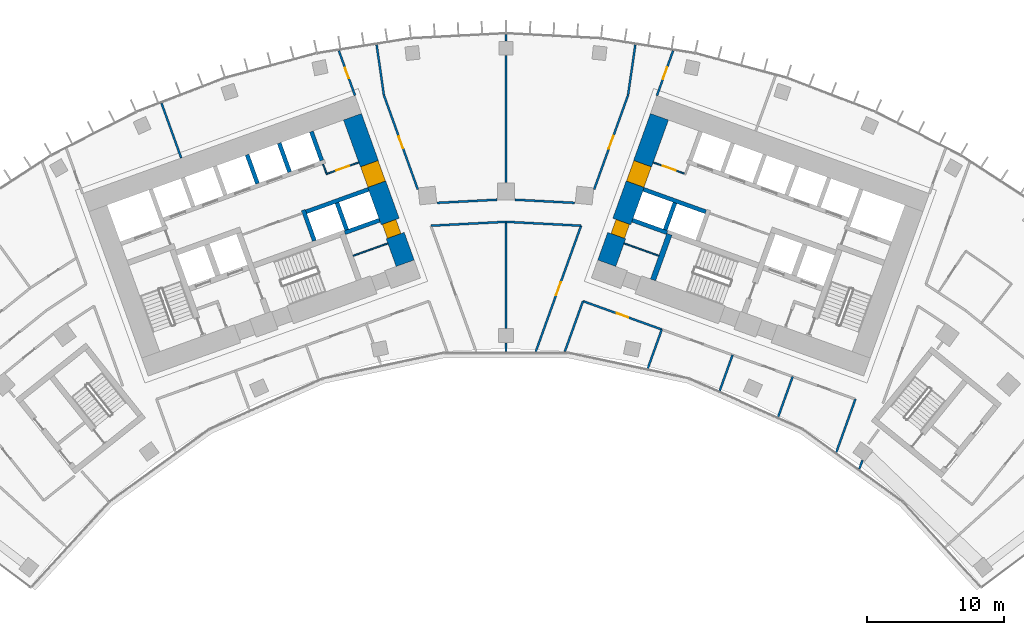
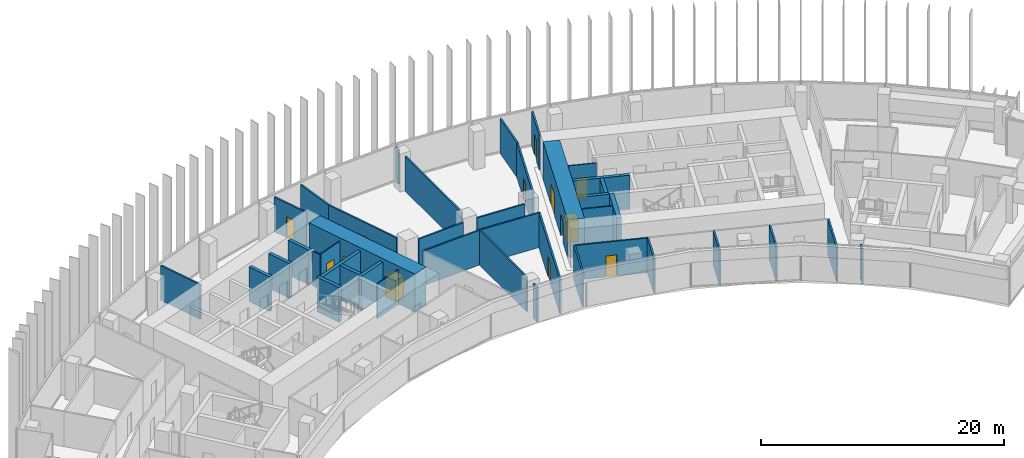
# One storey, part 17 of 22: 41 walls, 12 doors, 12 openings.
"""IFC4 building model written with IfcOpenShell, lengths in metres."""

from ifc_helpers import new_model, si_unit, direction, frame, frame_2d, origin, place, context, subcontext, project, spatial, rectangle, extrude, material, layer, layer_set, type_object, element, fill, save


model = new_model("IFC4")

# Units and contexts
model_context = context("Model", 3, precision=1e-05, world=origin(), true_north=direction((0.0, 1.0)))
body_context = subcontext(model_context, "Body", "Model", "MODEL_VIEW")
ifc_project = project(units=[si_unit("LENGTHUNIT", "METRE"), si_unit("AREAUNIT", "SQUARE_METRE"), si_unit("VOLUMEUNIT", "CUBIC_METRE"), si_unit("PLANEANGLEUNIT", "RADIAN"), si_unit("MASSUNIT", "GRAM", prefix="KILO")], contexts=[model_context])

# Site, building, storey
site_placement = place(None, origin())
site = spatial("IfcSite", under=ifc_project, at=site_placement, CompositionType="ELEMENT")
building_placement = place(site_placement, origin())
building = spatial("IfcBuilding", under=site, at=building_placement, Name="Stone Belt Terrace Tower", CompositionType="ELEMENT")
storey_placement = place(building_placement, frame((0.0, 0.0, 155.39990234375)))
storey = spatial("IfcBuildingStorey", under=building, at=storey_placement, Name="L37", CompositionType="ELEMENT", Elevation=155.39990234375)

# Walls
ifc_material_1 = material(Name="Plasterboard partition")
ifc_layer_1 = layer(ifc_material_1, 0.10009765625)
ifc_layer_set_1 = layer_set([ifc_layer_1], Name="Core partition 100")
wall_type_1 = type_object("IfcWallType", Name="Core partition 100", PredefinedType="PARTITIONING", material=ifc_layer_set_1)
wall_1_placement = place(storey_placement, frame((-11.187744140625, 50.2822265625, 0.0), z_axis=(0.0, 0.0, 1.0), x_axis=(0.940949642365, 0.338546555931, 0.0)))
element("IfcWall", 1, at=wall_1_placement, inside=storey, type_object=wall_type_1, Name="Core A wall", PredefinedType="PARTITIONING", context=body_context, shape_type="SweptSolid", body=[
    extrude(rectangle(XDim=2.699951171875, YDim=0.10009765625, at=frame_2d((1.35009765625, 0.0))), origin(), (0.0, 0.0, 1.0), 3.47998046875),
])
wall_2_placement = place(storey_placement, frame((-13.115966796875, 56.230712890625, 0.0), z_axis=(0.0, 0.0, 1.0), x_axis=(-0.338481684961, 0.940972979923, 0.0)))
element("IfcWall", 2, at=wall_2_placement, inside=storey, type_object=wall_type_1, Name="Core A wall", PredefinedType="PARTITIONING", context=body_context, shape_type="SweptSolid", body=[
    extrude(rectangle(XDim=0.7998046875, YDim=0.10009765625, at=frame_2d((0.39990234375, 0.0))), origin(), (0.0, 0.0, 1.0), 3.47998046875),
])

# Wall, opening, door
wall_3_placement = place(storey_placement, frame((-13.085693359375, 56.294677734375, 0.0), z_axis=(0.0, 0.0, 1.0), x_axis=(0.940922976849, 0.338620660383, 0.0)))
wall_3 = element("IfcWall", 3, at=wall_3_placement, inside=storey, type_object=wall_type_1, Name="Core A wall", PredefinedType="PARTITIONING", context=body_context, shape_type="SweptSolid", body=[
    extrude(rectangle(XDim=2.449951171875, YDim=0.10009765625, at=frame_2d((1.22509765625, 0.0))), origin(), (0.0, 0.0, 1.0), 3.47998046875),
])
opening_1_placement = place(wall_3_placement, frame((0.699951171875, 0.0, 0.0)))
opening_1 = element("IfcOpeningElement", 4, at=opening_1_placement, cuts=wall_3, Name="Opening L37-C01", PredefinedType="OPENING", context=body_context, shape_type="SweptSolid", body=[
    extrude(rectangle(XDim=1.0, YDim=2.10009765625, at=frame_2d((0.5, 1.050048828125))), frame((0.0, 0.06005859375, 0.0), z_axis=(0.0, -1.0, 0.0), x_axis=(1.0, 0.0, 0.0)), (0.0, 0.0, 1.0), 0.1201171875),
])
ifc_material_2 = material(Name="Timber door leaf", Category="wood")
door_type_1 = type_object("IfcDoorType", Name="Core room door 1000", OperationType="SINGLE_SWING_LEFT", PredefinedType="DOOR", material=ifc_material_2)
door_1_placement = place(opening_1_placement, origin())
door_1 = element("IfcDoor", 5, at=door_1_placement, inside=storey, type_object=door_type_1, Name="Door to Services store core A", OperationType="SINGLE_SWING_LEFT", OverallHeight=2.10009765625, OverallWidth=1.0, PredefinedType="DOOR", context=body_context, shape_type="SweptSolid", body=[
    extrude(rectangle(XDim=1.0, YDim=2.10009765625, at=frame_2d((0.5, 1.050048828125))), frame((0.0, 0.02490234375, 0.0), z_axis=(0.0, -1.0, 0.0), x_axis=(1.0, 0.0, 0.0)), (0.0, 0.0, 1.0), 0.050048828125),
])
fill(opening_1, door_1)

# Wall
wall_4_placement = place(storey_placement, frame((11.187744140625, 50.2822265625, 0.0), z_axis=(0.0, 0.0, 1.0), x_axis=(-0.940949642365, 0.338546555931, 0.0)))
element("IfcWall", 6, at=wall_4_placement, inside=storey, type_object=wall_type_1, Name="Core B wall", PredefinedType="PARTITIONING", context=body_context, shape_type="SweptSolid", body=[
    extrude(rectangle(XDim=2.699951171875, YDim=0.10009765625, at=frame_2d((1.35009765625, 0.0))), origin(), (0.0, 0.0, 1.0), 3.47998046875),
])

# Wall, opening, door
wall_5_placement = place(storey_placement, frame((13.085693359375, 56.294677734375, 0.0), z_axis=(0.0, 0.0, 1.0), x_axis=(-0.940922976849, 0.338620660383, 0.0)))
wall_5 = element("IfcWall", 7, at=wall_5_placement, inside=storey, type_object=wall_type_1, Name="Core B wall", PredefinedType="PARTITIONING", context=body_context, shape_type="SweptSolid", body=[
    extrude(rectangle(XDim=2.449951171875, YDim=0.10009765625, at=frame_2d((1.22509765625, 0.0))), origin(), (0.0, 0.0, 1.0), 3.47998046875),
])
opening_2_placement = place(wall_5_placement, frame((0.699951171875, 0.0, 0.0)))
opening_2 = element("IfcOpeningElement", 8, at=opening_2_placement, cuts=wall_5, Name="Opening L37-C12", PredefinedType="OPENING", context=body_context, shape_type="SweptSolid", body=[
    extrude(rectangle(XDim=1.0, YDim=2.10009765625, at=frame_2d((0.5, 1.050048828125))), frame((0.0, 0.06005859375, 0.0), z_axis=(0.0, -1.0, 0.0), x_axis=(1.0, 0.0, 0.0)), (0.0, 0.0, 1.0), 0.1201171875),
])
door_2_placement = place(opening_2_placement, origin())
door_2 = element("IfcDoor", 9, at=door_2_placement, inside=storey, type_object=door_type_1, Name="Door to Services store core B", OperationType="SINGLE_SWING_RIGHT", OverallHeight=2.10009765625, OverallWidth=1.0, PredefinedType="DOOR", context=body_context, shape_type="SweptSolid", body=[
    extrude(rectangle(XDim=1.0, YDim=2.10009765625, at=frame_2d((0.5, 1.050048828125))), frame((0.0, 0.02490234375, 0.0), z_axis=(0.0, -1.0, 0.0), x_axis=(1.0, 0.0, 0.0)), (0.0, 0.0, 1.0), 0.050048828125),
])
fill(opening_2, door_2)

# Wall, openings, doors
ifc_material_3 = material(Name="Concrete B80", Category="concrete")
ifc_layer_2 = layer(ifc_material_3, 1.39990234375)
ifc_layer_set_2 = layer_set([ifc_layer_2], Name="Core wall 1400 B80")
wall_type_2 = type_object("IfcWallType", Name="Core wall 1400 B80", PredefinedType="SHEAR", material=ifc_layer_set_2)
wall_6_placement = place(storey_placement, frame((-7.379150390625, 49.73974609375, 0.0), z_axis=(0.0, 0.0, 1.0), x_axis=(-0.338625431531, 0.940921259788, 0.0)))
wall_6 = element("IfcWall", 10, at=wall_6_placement, inside=storey, type_object=wall_type_2, Name="Core A wall end_b L37", PredefinedType="SHEAR", context=body_context, shape_type="SweptSolid", body=[
    extrude(rectangle(XDim=11.400146484375, YDim=1.39990234375, at=frame_2d((5.7001953125, 0.0))), origin(), (0.0, 0.0, 1.0), 3.800048828125),
])
opening_3_placement = place(wall_6_placement, frame((6.14990234375, 0.0, 0.0)))
opening_3 = element("IfcOpeningElement", 11, at=opening_3_placement, cuts=wall_6, Name="Opening L37-C04", PredefinedType="OPENING", context=body_context, shape_type="SweptSolid", body=[
    extrude(rectangle(XDim=1.60009765625, YDim=2.10009765625, at=frame_2d((0.800048828125, 1.050048828125))), frame((0.0, 0.7099609375, 0.0), z_axis=(0.0, -1.0, 0.0), x_axis=(1.0, 0.0, 0.0)), (0.0, 0.0, 1.0), 1.419921875),
])
opening_4_placement = place(wall_6_placement, frame((2.14990234375, 0.0, 0.0)))
opening_4 = element("IfcOpeningElement", 12, at=opening_4_placement, cuts=wall_6, Name="Opening L37-C10", PredefinedType="OPENING", context=body_context, shape_type="SweptSolid", body=[
    extrude(rectangle(XDim=1.10009765625, YDim=2.10009765625, at=frame_2d((0.550048828125, 1.050048828125))), frame((0.0, 0.7099609375, 0.0), z_axis=(0.0, -1.0, 0.0), x_axis=(1.0, 0.0, 0.0)), (0.0, 0.0, 1.0), 1.419921875),
])
door_type_2 = type_object("IfcDoorType", Name="Core room door 1100", OperationType="SINGLE_SWING_LEFT", PredefinedType="DOOR", material=ifc_material_2)
door_3_placement = place(opening_4_placement, origin())
door_3 = element("IfcDoor", 13, at=door_3_placement, inside=storey, type_object=door_type_2, Name="Door to Accessible WC core A", OperationType="SINGLE_SWING_RIGHT", OverallHeight=2.10009765625, OverallWidth=1.10009765625, PredefinedType="DOOR", context=body_context, shape_type="SweptSolid", body=[
    extrude(rectangle(XDim=1.10009765625, YDim=2.10009765625, at=frame_2d((0.550048828125, 1.050048828125))), frame((0.0, 0.60498046875, 0.0), z_axis=(0.0, -1.0, 0.0), x_axis=(1.0, 0.0, 0.0)), (0.0, 0.0, 1.0), 1.050048828125),
])
fill(opening_4, door_3)
ifc_material_4 = material(Name="Glazed aluminium door leaf", Category="aluminium")
door_type_3 = type_object("IfcDoorType", Name="Lift lobby entrance door 1600", OperationType="DOUBLE_DOOR_SINGLE_SWING", PredefinedType="DOOR", material=ifc_material_4)
door_4_placement = place(opening_3_placement, origin())
door_4 = element("IfcDoor", 14, at=door_4_placement, inside=storey, type_object=door_type_3, Name="Lift lobby entrance door core A", OperationType="DOUBLE_DOOR_SINGLE_SWING", OverallHeight=2.10009765625, OverallWidth=1.60009765625, PredefinedType="DOOR", context=body_context, shape_type="SweptSolid", body=[
    extrude(rectangle(XDim=1.60009765625, YDim=2.10009765625, at=frame_2d((0.800048828125, 1.050048828125))), frame((0.0, 0.68017578125, 0.0), z_axis=(0.0, -1.0, 0.0), x_axis=(1.0, 0.0, 0.0)), (0.0, 0.0, 1.0), 1.360107421875),
])
fill(opening_3, door_4)

wall_7_placement = place(storey_placement, frame((7.379150390625, 49.73974609375, 0.0), z_axis=(0.0, 0.0, 1.0), x_axis=(0.338625431531, 0.940921259788, 0.0)))
wall_7 = element("IfcWall", 15, at=wall_7_placement, inside=storey, type_object=wall_type_2, Name="Core B wall end_a L37", PredefinedType="SHEAR", context=body_context, shape_type="SweptSolid", body=[
    extrude(rectangle(XDim=11.400146484375, YDim=1.39990234375, at=frame_2d((5.7001953125, 0.0))), origin(), (0.0, 0.0, 1.0), 3.800048828125),
])
opening_5_placement = place(wall_7_placement, frame((6.14990234375, 0.0, 0.0)))
opening_5 = element("IfcOpeningElement", 16, at=opening_5_placement, cuts=wall_7, Name="Opening L37-C15", PredefinedType="OPENING", context=body_context, shape_type="SweptSolid", body=[
    extrude(rectangle(XDim=1.60009765625, YDim=2.10009765625, at=frame_2d((0.800048828125, 1.050048828125))), frame((0.0, 0.7099609375, 0.0), z_axis=(0.0, -1.0, 0.0), x_axis=(1.0, 0.0, 0.0)), (0.0, 0.0, 1.0), 1.419921875),
])
opening_6_placement = place(wall_7_placement, frame((2.14990234375, 0.0, 0.0)))
opening_6 = element("IfcOpeningElement", 17, at=opening_6_placement, cuts=wall_7, Name="Opening L37-C21", PredefinedType="OPENING", context=body_context, shape_type="SweptSolid", body=[
    extrude(rectangle(XDim=1.10009765625, YDim=2.10009765625, at=frame_2d((0.550048828125, 1.050048828125))), frame((0.0, 0.7099609375, 0.0), z_axis=(0.0, -1.0, 0.0), x_axis=(1.0, 0.0, 0.0)), (0.0, 0.0, 1.0), 1.419921875),
])
door_5_placement = place(opening_6_placement, origin())
door_5 = element("IfcDoor", 18, at=door_5_placement, inside=storey, type_object=door_type_2, Name="Door to Accessible WC core B", OperationType="SINGLE_SWING_LEFT", OverallHeight=2.10009765625, OverallWidth=1.10009765625, PredefinedType="DOOR", context=body_context, shape_type="SweptSolid", body=[
    extrude(rectangle(XDim=1.10009765625, YDim=2.10009765625, at=frame_2d((0.550048828125, 1.050048828125))), frame((0.0, 0.44482421875, 0.0), z_axis=(0.0, -1.0, 0.0), x_axis=(1.0, 0.0, 0.0)), (0.0, 0.0, 1.0), 1.050048828125),
])
fill(opening_6, door_5)
door_6_placement = place(opening_5_placement, origin())
door_6 = element("IfcDoor", 19, at=door_6_placement, inside=storey, type_object=door_type_3, Name="Lift lobby entrance door core B", OperationType="DOUBLE_DOOR_SINGLE_SWING", OverallHeight=2.10009765625, OverallWidth=1.60009765625, PredefinedType="DOOR", context=body_context, shape_type="SweptSolid", body=[
    extrude(rectangle(XDim=1.60009765625, YDim=2.10009765625, at=frame_2d((0.800048828125, 1.050048828125))), frame((0.0, 0.68017578125, 0.0), z_axis=(0.0, -1.0, 0.0), x_axis=(1.0, 0.0, 0.0)), (0.0, 0.0, 1.0), 1.360107421875),
])
fill(opening_5, door_6)

# Walls
ifc_layer_3 = layer(ifc_material_3, 0.300048828125)
ifc_layer_set_3 = layer_set([ifc_layer_3], Name="Lift shaft wall 300")
wall_type_3 = type_object("IfcWallType", Name="Lift shaft wall 300", PredefinedType="SHEAR", material=ifc_layer_set_3)
wall_8_placement = place(storey_placement, frame((-18.193115234375, 55.572509765625, 0.0), z_axis=(0.0, 0.0, 1.0), x_axis=(-0.338535034312, 0.940953787677, 0.0)))
element("IfcWall", 20, at=wall_8_placement, inside=storey, type_object=wall_type_3, Name="Core A wall", PredefinedType="SHEAR", context=body_context, shape_type="SweptSolid", body=[
    extrude(rectangle(XDim=2.25, YDim=0.300048828125, at=frame_2d((1.125, 0.0))), origin(), (0.0, 0.0, 1.0), 3.47998046875),
])
wall_9_placement = place(storey_placement, frame((-14.029052734375, 51.38525390625, 0.0), z_axis=(0.0, 0.0, 1.0), x_axis=(-0.338661829791, 0.940908159728, 0.0)))
element("IfcWall", 21, at=wall_9_placement, inside=storey, type_object=wall_type_3, Name="Core A wall", PredefinedType="SHEAR", context=body_context, shape_type="SweptSolid", body=[
    extrude(rectangle(XDim=2.39990234375, YDim=0.300048828125, at=frame_2d((1.199951171875, 0.0))), origin(), (0.0, 0.0, 1.0), 3.47998046875),
])
wall_10_placement = place(storey_placement, frame((-14.6328125, 53.506103515625, 0.0), z_axis=(0.0, 0.0, 1.0), x_axis=(0.940931684323, 0.338596464007, 0.0)))
element("IfcWall", 22, at=wall_10_placement, inside=storey, type_object=wall_type_3, Name="Core A wall", PredefinedType="SHEAR", context=body_context, shape_type="SweptSolid", body=[
    extrude(rectangle(XDim=4.849609375, YDim=0.300048828125, at=frame_2d((2.4248046875, 0.0))), origin(), (0.0, 0.0, 1.0), 3.47998046875),
])
wall_11_placement = place(storey_placement, frame((-15.8408203125, 56.419189453125, 0.0), z_axis=(0.0, 0.0, 1.0), x_axis=(-0.338569601369, 0.940941350472, 0.0)))
element("IfcWall", 23, at=wall_11_placement, inside=storey, type_object=wall_type_3, Name="Core A wall", PredefinedType="SHEAR", context=body_context, shape_type="SweptSolid", body=[
    extrude(rectangle(XDim=2.249755859375, YDim=0.300048828125, at=frame_2d((1.125, 0.0))), origin(), (0.0, 0.0, 1.0), 3.47998046875),
])
wall_12_placement = place(storey_placement, frame((-11.797119140625, 51.975830078125, 0.0), z_axis=(0.0, 0.0, 1.0), x_axis=(0.940910465161, 0.33865542451, 0.0)))
element("IfcWall", 24, at=wall_12_placement, inside=storey, type_object=wall_type_3, Name="Core A wall", PredefinedType="SHEAR", context=body_context, shape_type="SweptSolid", body=[
    extrude(rectangle(XDim=2.69970703125, YDim=0.300048828125, at=frame_2d((1.349853515625, 0.0))), origin(), (0.0, 0.0, 1.0), 3.47998046875),
])
wall_13_placement = place(storey_placement, frame((-11.659912109375, 52.184814453125, 0.0), z_axis=(0.0, 0.0, 1.0), x_axis=(-0.338670064856, 0.940905195634, 0.0)))
element("IfcWall", 25, at=wall_13_placement, inside=storey, type_object=wall_type_3, Name="Core A wall", PredefinedType="SHEAR", context=body_context, shape_type="SweptSolid", body=[
    extrude(rectangle(XDim=2.099853515625, YDim=0.300048828125, at=frame_2d((1.0498046875, 0.0))), origin(), (0.0, 0.0, 1.0), 3.47998046875),
])
wall_14_placement = place(storey_placement, frame((-13.48828125, 57.265625, 0.0), z_axis=(0.0, 0.0, 1.0), x_axis=(-0.338631098537, 0.940919220286, 0.0)))
element("IfcWall", 26, at=wall_14_placement, inside=storey, type_object=wall_type_3, Name="Core A wall", PredefinedType="SHEAR", context=body_context, shape_type="SweptSolid", body=[
    extrude(rectangle(XDim=2.250244140625, YDim=0.300048828125, at=frame_2d((1.125, 0.0))), origin(), (0.0, 0.0, 1.0), 3.47998046875),
])
wall_15_placement = place(storey_placement, frame((14.6328125, 53.506103515625, 0.0), z_axis=(0.0, 0.0, 1.0), x_axis=(-0.940931684323, 0.338596464007, 0.0)))
element("IfcWall", 27, at=wall_15_placement, inside=storey, type_object=wall_type_3, Name="Core B wall", PredefinedType="SHEAR", context=body_context, shape_type="SweptSolid", body=[
    extrude(rectangle(XDim=4.849609375, YDim=0.300048828125, at=frame_2d((2.4248046875, 0.0))), origin(), (0.0, 0.0, 1.0), 3.47998046875),
])
wall_16_placement = place(storey_placement, frame((11.797119140625, 51.975830078125, 0.0), z_axis=(0.0, 0.0, 1.0), x_axis=(-0.940910465161, 0.33865542451, 0.0)))
element("IfcWall", 28, at=wall_16_placement, inside=storey, type_object=wall_type_3, Name="Core B wall", PredefinedType="SHEAR", context=body_context, shape_type="SweptSolid", body=[
    extrude(rectangle(XDim=2.69970703125, YDim=0.300048828125, at=frame_2d((1.349853515625, 0.0))), origin(), (0.0, 0.0, 1.0), 3.47998046875),
])
wall_17_placement = place(storey_placement, frame((11.659912109375, 52.184814453125, 0.0), z_axis=(0.0, 0.0, 1.0), x_axis=(0.338670064856, 0.940905195634, 0.0)))
element("IfcWall", 29, at=wall_17_placement, inside=storey, type_object=wall_type_3, Name="Core B wall", PredefinedType="SHEAR", context=body_context, shape_type="SweptSolid", body=[
    extrude(rectangle(XDim=2.099853515625, YDim=0.300048828125, at=frame_2d((1.0498046875, 0.0))), origin(), (0.0, 0.0, 1.0), 3.47998046875),
])

# Wall, opening, door
ifc_material_5 = material(Name="Gypsum board partition")
ifc_layer_4 = layer(ifc_material_5, 0.14990234375)
ifc_layer_set_4 = layer_set([ifc_layer_4], Name="PARTITION 150 EI 60")
wall_type_4 = type_object("IfcWallType", Name="PARTITION 150 EI 60", PredefinedType="PARTITIONING", material=ifc_layer_set_4)
wall_18_placement = place(storey_placement, frame((-11.054931640625, 62.02099609375, 0.0), z_axis=(0.0, 0.0, 1.0), x_axis=(-0.338942963923, 0.940806923448, 0.0)))
wall_18 = element("IfcWall", 30, at=wall_18_placement, inside=storey, type_object=wall_type_4, Name="L37/wall/i008", PredefinedType="PARTITIONING", context=body_context, shape_type="SweptSolid", body=[
    extrude(rectangle(XDim=3.481201171875, YDim=0.14990234375, at=frame_2d((1.74072265625, 0.0))), origin(), (0.0, 0.0, 1.0), 3.47998046875),
])
opening_7_placement = place(wall_18_placement, frame((1.340576171875, 0.0, 0.0)))
opening_7 = element("IfcOpeningElement", 31, at=opening_7_placement, cuts=wall_18, Name="Opening D-C1-06", PredefinedType="OPENING", context=body_context, shape_type="SweptSolid", body=[
    extrude(rectangle(XDim=0.800048828125, YDim=2.10009765625, at=frame_2d((0.39990234375, 1.050048828125))), frame((0.0, 0.0849609375, 0.0), z_axis=(0.0, -1.0, 0.0), x_axis=(1.0, 0.0, 0.0)), (0.0, 0.0, 1.0), 0.169921875),
])
door_type_4 = type_object("IfcDoorType", Name="STORE DOOR 800 X 2100", OperationType="NOTDEFINED", PredefinedType="DOOR", material=ifc_material_2)
door_7_placement = place(opening_7_placement, origin())
door_7 = element("IfcDoor", 32, at=door_7_placement, inside=storey, type_object=door_type_4, Name="L37/door/i06", OperationType="SINGLE_SWING_RIGHT", OverallHeight=2.10009765625, OverallWidth=0.800048828125, PredefinedType="DOOR", context=body_context, shape_type="SweptSolid", body=[
    extrude(rectangle(XDim=0.800048828125, YDim=2.10009765625, at=frame_2d((0.39990234375, 1.050048828125))), frame((0.0, 0.02490234375, 0.0), z_axis=(0.0, -1.0, 0.0), x_axis=(1.0, 0.0, 0.0)), (0.0, 0.0, 1.0), 0.050048828125),
])
fill(opening_7, door_7)

# Wall
wall_19_placement = place(storey_placement, frame((-9.47021484375, 65.736083984375, 0.0), z_axis=(0.0, 0.0, 1.0), x_axis=(0.14267653425, -0.989769370396, 0.0)))
element("IfcWall", 33, at=wall_19_placement, inside=storey, type_object=wall_type_4, Name="L37/wall/i010", PredefinedType="PARTITIONING", context=body_context, shape_type="SweptSolid", body=[
    extrude(rectangle(XDim=3.730224609375, YDim=0.14990234375, at=frame_2d((1.865234375, 0.0))), origin(), (0.0, 0.0, 1.0), 3.47998046875),
])

# Wall, opening, door
wall_20_placement = place(storey_placement, frame((-8.93798828125, 62.04296875, 0.0), z_axis=(0.0, 0.0, 1.0), x_axis=(0.338603971116, -0.940928982838, 0.0)))
wall_20 = element("IfcWall", 34, at=wall_20_placement, inside=storey, type_object=wall_type_4, Name="L37/wall/i011", PredefinedType="PARTITIONING", context=body_context, shape_type="SweptSolid", body=[
    extrude(rectangle(XDim=7.335693359375, YDim=0.14990234375, at=frame_2d((3.66796875, 0.0))), origin(), (0.0, 0.0, 1.0), 3.47998046875),
])
opening_8_placement = place(wall_20_placement, frame((3.218017578125, 0.0, 0.0)))
opening_8 = element("IfcOpeningElement", 35, at=opening_8_placement, cuts=wall_20, Name="Opening D-C1-28", PredefinedType="OPENING", context=body_context, shape_type="SweptSolid", body=[
    extrude(rectangle(XDim=0.89990234375, YDim=2.10009765625, at=frame_2d((0.449951171875, 1.050048828125))), frame((0.0, 0.0849609375, 0.0), z_axis=(0.0, -1.0, 0.0), x_axis=(1.0, 0.0, 0.0)), (0.0, 0.0, 1.0), 0.169921875),
])
door_type_5 = type_object("IfcDoorType", Name="OFFICE DOOR 900 X 2100", OperationType="NOTDEFINED", PredefinedType="DOOR", material=ifc_material_2)
door_8_placement = place(opening_8_placement, origin())
door_8 = element("IfcDoor", 36, at=door_8_placement, inside=storey, type_object=door_type_5, Name="L37/door/i28", OperationType="SINGLE_SWING_RIGHT", OverallHeight=2.10009765625, OverallWidth=0.89990234375, PredefinedType="DOOR", context=body_context, shape_type="SweptSolid", body=[
    extrude(rectangle(XDim=0.89990234375, YDim=2.10009765625, at=frame_2d((0.449951171875, 1.050048828125))), frame((0.0, 0.02490234375, 0.0), z_axis=(0.0, -1.0, 0.0), x_axis=(1.0, 0.0, 0.0)), (0.0, 0.0, 1.0), 0.050048828125),
])
fill(opening_8, door_8)

# Walls
wall_21_placement = place(storey_placement, frame((-25.21875, 61.4521484375, 0.0), z_axis=(0.0, 0.0, 1.0), x_axis=(0.338640335261, -0.940915895994, 0.0)))
element("IfcWall", 37, at=wall_21_placement, inside=storey, type_object=wall_type_4, Name="L37/wall/i020", PredefinedType="PARTITIONING", context=body_context, shape_type="SweptSolid", body=[
    extrude(rectangle(XDim=4.2607421875, YDim=0.14990234375, at=frame_2d((2.13037109375, 0.0))), origin(), (0.0, 0.0, 1.0), 3.47998046875),
])
wall_22_placement = place(storey_placement, frame((5.638916015625, 46.971923828125, 0.0), z_axis=(0.0, 0.0, 1.0), x_axis=(-0.338569683937, -0.940941320763, 0.0)))
element("IfcWall", 38, at=wall_22_placement, inside=storey, type_object=wall_type_4, Name="L37/wall/i021", PredefinedType="PARTITIONING", context=body_context, shape_type="SweptSolid", body=[
    extrude(rectangle(XDim=3.9248046875, YDim=0.14990234375, at=frame_2d((1.96240234375, 0.0))), origin(), (0.0, 0.0, 1.0), 3.47998046875),
])

# Wall, opening, door
wall_23_placement = place(storey_placement, frame((12.23486328125, 65.296142578125, 0.0), z_axis=(0.0, 0.0, 1.0), x_axis=(-0.338942963923, -0.940806923448, 0.0)))
wall_23 = element("IfcWall", 39, at=wall_23_placement, inside=storey, type_object=wall_type_4, Name="L37/wall/i022", PredefinedType="PARTITIONING", context=body_context, shape_type="SweptSolid", body=[
    extrude(rectangle(XDim=3.481201171875, YDim=0.14990234375, at=frame_2d((1.74072265625, 0.0))), origin(), (0.0, 0.0, 1.0), 3.47998046875),
])
opening_9_placement = place(wall_23_placement, frame((1.29052734375, 0.0, 0.0)))
opening_9 = element("IfcOpeningElement", 40, at=opening_9_placement, cuts=wall_23, Name="Opening D-C1-11", PredefinedType="OPENING", context=body_context, shape_type="SweptSolid", body=[
    extrude(rectangle(XDim=0.89990234375, YDim=2.10009765625, at=frame_2d((0.449951171875, 1.050048828125))), frame((0.0, 0.0849609375, 0.0), z_axis=(0.0, -1.0, 0.0), x_axis=(1.0, 0.0, 0.0)), (0.0, 0.0, 1.0), 0.169921875),
])
door_9_placement = place(opening_9_placement, origin())
door_9 = element("IfcDoor", 41, at=door_9_placement, inside=storey, type_object=door_type_5, Name="L37/door/i11", OperationType="SINGLE_SWING_RIGHT", OverallHeight=2.10009765625, OverallWidth=0.89990234375, PredefinedType="DOOR", context=body_context, shape_type="SweptSolid", body=[
    extrude(rectangle(XDim=0.89990234375, YDim=2.10009765625, at=frame_2d((0.449951171875, 1.050048828125))), frame((0.0, 0.02490234375, 0.0), z_axis=(0.0, -1.0, 0.0), x_axis=(1.0, 0.0, 0.0)), (0.0, 0.0, 1.0), 0.050048828125),
])
fill(opening_9, door_9)

wall_24_placement = place(storey_placement, frame((2.178466796875, 43.26171875, 0.0), z_axis=(0.0, 0.0, 1.0), x_axis=(0.338654259988, 0.940910884299, 0.0)))
wall_24 = element("IfcWall", 42, at=wall_24_placement, inside=storey, type_object=wall_type_4, Name="L37/wall/i023", PredefinedType="PARTITIONING", context=body_context, shape_type="SweptSolid", body=[
    extrude(rectangle(XDim=9.81103515625, YDim=0.14990234375, at=frame_2d((4.905517578125, 0.0))), origin(), (0.0, 0.0, 1.0), 3.47998046875),
])
opening_10_placement = place(wall_24_placement, frame((4.405517578125, 0.0, 0.0)))
opening_10 = element("IfcOpeningElement", 43, at=opening_10_placement, cuts=wall_24, Name="Opening D-C1-27", PredefinedType="OPENING", context=body_context, shape_type="SweptSolid", body=[
    extrude(rectangle(XDim=1.0, YDim=2.10009765625, at=frame_2d((0.5, 1.050048828125))), frame((0.0, 0.0849609375, 0.0), z_axis=(0.0, -1.0, 0.0), x_axis=(1.0, 0.0, 0.0)), (0.0, 0.0, 1.0), 0.169921875),
])
ifc_material_6 = material(Name="Timber fire door leaf", Category="wood")
door_type_6 = type_object("IfcDoorType", Name="TENANCY ENTRANCE DOOR 1000 X 2100", OperationType="NOTDEFINED", PredefinedType="DOOR", material=ifc_material_6)
door_10_placement = place(opening_10_placement, origin())
door_10 = element("IfcDoor", 44, at=door_10_placement, inside=storey, type_object=door_type_6, Name="L37/door/i27", OperationType="SINGLE_SWING_LEFT", OverallHeight=2.10009765625, OverallWidth=1.0, PredefinedType="DOOR", context=body_context, shape_type="SweptSolid", body=[
    extrude(rectangle(XDim=1.0, YDim=2.10009765625, at=frame_2d((0.5, 1.050048828125))), frame((0.0, 0.02490234375, 0.0), z_axis=(0.0, -1.0, 0.0), x_axis=(1.0, 0.0, 0.0)), (0.0, 0.0, 1.0), 0.050048828125),
])
fill(opening_10, door_10)

wall_25_placement = place(storey_placement, frame((6.4541015625, 55.140625, 0.0), z_axis=(0.0, 0.0, 1.0), x_axis=(0.338603971116, 0.940928982838, 0.0)))
wall_25 = element("IfcWall", 45, at=wall_25_placement, inside=storey, type_object=wall_type_4, Name="L37/wall/i024", PredefinedType="PARTITIONING", context=body_context, shape_type="SweptSolid", body=[
    extrude(rectangle(XDim=7.335693359375, YDim=0.14990234375, at=frame_2d((3.66796875, 0.0))), origin(), (0.0, 0.0, 1.0), 3.47998046875),
])
opening_11_placement = place(wall_25_placement, frame((3.16796875, 0.0, 0.0)))
opening_11 = element("IfcOpeningElement", 46, at=opening_11_placement, cuts=wall_25, Name="Opening D-C1-29", PredefinedType="OPENING", context=body_context, shape_type="SweptSolid", body=[
    extrude(rectangle(XDim=1.0, YDim=2.10009765625, at=frame_2d((0.5, 1.050048828125))), frame((0.0, 0.0849609375, 0.0), z_axis=(0.0, -1.0, 0.0), x_axis=(1.0, 0.0, 0.0)), (0.0, 0.0, 1.0), 0.169921875),
])
door_11_placement = place(opening_11_placement, origin())
door_11 = element("IfcDoor", 47, at=door_11_placement, inside=storey, type_object=door_type_6, Name="L37/door/i29", OperationType="SINGLE_SWING_RIGHT", OverallHeight=2.10009765625, OverallWidth=1.0, PredefinedType="DOOR", context=body_context, shape_type="SweptSolid", body=[
    extrude(rectangle(XDim=1.0, YDim=2.10009765625, at=frame_2d((0.5, 1.050048828125))), frame((0.0, 0.02490234375, 0.0), z_axis=(0.0, -1.0, 0.0), x_axis=(1.0, 0.0, 0.0)), (0.0, 0.0, 1.0), 0.050048828125),
])
fill(opening_11, door_11)

# Walls
wall_26_placement = place(storey_placement, frame((8.93798828125, 62.0439453125, 0.0), z_axis=(0.0, 0.0, 1.0), x_axis=(0.14267653425, 0.989769370396, 0.0)))
element("IfcWall", 48, at=wall_26_placement, inside=storey, type_object=wall_type_4, Name="L37/wall/i025", PredefinedType="PARTITIONING", context=body_context, shape_type="SweptSolid", body=[
    extrude(rectangle(XDim=3.730224609375, YDim=0.14990234375, at=frame_2d((1.865234375, 0.0))), origin(), (0.0, 0.0, 1.0), 3.47998046875),
])
wall_27_placement = place(storey_placement, frame((24.18603515625, 35.902099609375, 0.0), z_axis=(0.0, 0.0, 1.0), x_axis=(0.338545933013, 0.940949866486, 0.0)))
element("IfcWall", 49, at=wall_27_placement, inside=storey, type_object=wall_type_4, Name="L37/wall/i026", PredefinedType="PARTITIONING", context=body_context, shape_type="SweptSolid", body=[
    extrude(rectangle(XDim=4.135009765625, YDim=0.14990234375, at=frame_2d((2.0673828125, 0.0))), origin(), (0.0, 0.0, 1.0), 3.47998046875),
])
wall_28_placement = place(storey_placement, frame((26.101318359375, 35.318115234375, 0.0), z_axis=(0.0, 0.0, 1.0), x_axis=(-0.339176971689, -0.940722584972, 0.0)))
element("IfcWall", 50, at=wall_28_placement, inside=storey, type_object=wall_type_4, Name="L37/wall/i030", PredefinedType="PARTITIONING", context=body_context, shape_type="SweptSolid", body=[
    extrude(rectangle(XDim=0.68017578125, YDim=0.14990234375, at=frame_2d((0.340087890625, 0.0))), origin(), (0.0, 0.0, 1.0), 3.47998046875),
])

# Wall, opening, door
wall_29_placement = place(storey_placement, frame((11.4140625, 44.886962890625, 0.0), z_axis=(0.0, 0.0, 1.0), x_axis=(-0.940921369365, 0.338625127055, 0.0)))
wall_29 = element("IfcWall", 51, at=wall_29_placement, inside=storey, type_object=wall_type_4, Name="L37/wall/i032", PredefinedType="PARTITIONING", context=body_context, shape_type="SweptSolid", body=[
    extrude(rectangle(XDim=6.139892578125, YDim=0.14990234375, at=frame_2d((3.06982421875, 0.0))), origin(), (0.0, 0.0, 1.0), 3.47998046875),
])
opening_12_placement = place(wall_29_placement, frame((2.619873046875, 0.0, 0.0)))
opening_12 = element("IfcOpeningElement", 52, at=opening_12_placement, cuts=wall_29, Name="Opening D-C1-07", PredefinedType="OPENING", context=body_context, shape_type="SweptSolid", body=[
    extrude(rectangle(XDim=0.89990234375, YDim=2.10009765625, at=frame_2d((0.449951171875, 1.050048828125))), frame((0.0, 0.0849609375, 0.0), z_axis=(0.0, -1.0, 0.0), x_axis=(1.0, 0.0, 0.0)), (0.0, 0.0, 1.0), 0.169921875),
])
door_12_placement = place(opening_12_placement, origin())
door_12 = element("IfcDoor", 53, at=door_12_placement, inside=storey, type_object=door_type_5, Name="L37/door/i07", OperationType="SINGLE_SWING_RIGHT", OverallHeight=2.10009765625, OverallWidth=0.89990234375, PredefinedType="DOOR", context=body_context, shape_type="SweptSolid", body=[
    extrude(rectangle(XDim=0.89990234375, YDim=2.10009765625, at=frame_2d((0.449951171875, 1.050048828125))), frame((0.0, 0.02490234375, 0.0), z_axis=(0.0, -1.0, 0.0), x_axis=(1.0, 0.0, 0.0)), (0.0, 0.0, 1.0), 0.050048828125),
])
fill(opening_12, door_12)

# Walls
wall_30_placement = place(storey_placement, frame((11.407958984375, 44.888916015625, 0.0), z_axis=(0.0, 0.0, 1.0), x_axis=(-0.338691088302, -0.940897628175, 0.0)))
element("IfcWall", 54, at=wall_30_placement, inside=storey, type_object=wall_type_4, Name="L37/wall/i036", PredefinedType="PARTITIONING", context=body_context, shape_type="SweptSolid", body=[
    extrude(rectangle(XDim=3.046142578125, YDim=0.14990234375, at=frame_2d((1.52294921875, 0.0))), origin(), (0.0, 0.0, 1.0), 3.47998046875),
])
wall_31_placement = place(storey_placement, frame((16.591064453125, 43.02392578125, 0.0), z_axis=(0.0, 0.0, 1.0), x_axis=(-0.338673128316, -0.940904092964, 0.0)))
element("IfcWall", 55, at=wall_31_placement, inside=storey, type_object=wall_type_4, Name="L37/wall/i037", PredefinedType="PARTITIONING", context=body_context, shape_type="SweptSolid", body=[
    extrude(rectangle(XDim=2.79833984375, YDim=0.14990234375, at=frame_2d((1.399169921875, 0.0))), origin(), (0.0, 0.0, 1.0), 3.47998046875),
])
wall_32_placement = place(storey_placement, frame((20.990966796875, 41.43994140625, 0.0), z_axis=(0.0, 0.0, 1.0), x_axis=(-0.338634168546, -0.940918115403, 0.0)))
element("IfcWall", 56, at=wall_32_placement, inside=storey, type_object=wall_type_4, Name="L37/wall/i038", PredefinedType="PARTITIONING", context=body_context, shape_type="SweptSolid", body=[
    extrude(rectangle(XDim=3.141845703125, YDim=0.14990234375, at=frame_2d((1.57080078125, 0.0))), origin(), (0.0, 0.0, 1.0), 3.47998046875),
])
for number, where, z_axis, x_axis, name in (
    (57, (0.0, 52.77490234375, 0.0), (0.0, 0.0, 1.0), (-0.998632852887, -0.052272604047, 0.0), "L37/wall/i080"),
    (58, (5.4990234375, 52.487060546875, 0.0), (0.0, 0.0, 1.0), (-0.998632852887, 0.052272604047, 0.0), "L37/wall/i081"),
):
    element("IfcWall", number, at=place(storey_placement, frame(where, z_axis=z_axis, x_axis=x_axis)), inside=storey, type_object=wall_type_4, Name=name, PredefinedType="PARTITIONING", context=body_context, shape_type="SweptSolid", body=[
        extrude(rectangle(XDim=5.506591796875, YDim=0.14990234375, at=frame_2d((2.75341796875, 0.0))), origin(), (0.0, 0.0, 1.0), 3.47998046875),
    ])
for number, where, z_axis, x_axis, name in (
    (59, (-5.033935546875, 54.161376953125, 0.0), (0.0, 0.0, 1.0), (0.998632402253, 0.052281212406, 0.0), "L37/wall/i082"),
    (60, (0.655029296875, 54.390625, 0.0), (0.0, 0.0, 1.0), (0.998632402253, -0.052281212406, 0.0), "L37/wall/i083"),
):
    element("IfcWall", number, at=place(storey_placement, frame(where, z_axis=z_axis, x_axis=x_axis)), inside=storey, type_object=wall_type_4, Name=name, PredefinedType="PARTITIONING", context=body_context, shape_type="SweptSolid", body=[
        extrude(rectangle(XDim=4.385009765625, YDim=0.14990234375, at=frame_2d((2.1923828125, 0.0))), origin(), (0.0, 0.0, 1.0), 3.47998046875),
    ])
wall_33_placement = place(storey_placement, frame((0.0, 52.77490234375, 0.0), z_axis=(0.0, 0.0, 1.0), x_axis=(0.0, -1.0, 0.0)))
element("IfcWall", 61, at=wall_33_placement, inside=storey, type_object=wall_type_4, Name="L37/wall/i084", PredefinedType="PARTITIONING", context=body_context, shape_type="SweptSolid", body=[
    extrude(rectangle(XDim=7.7998046875, YDim=0.14990234375, at=frame_2d((3.89990234375, 0.0))), origin(), (0.0, 0.0, 1.0), 3.47998046875),
])
wall_34_placement = place(storey_placement, frame((0.0, 43.9150390625, 0.0), z_axis=(0.0, 0.0, 1.0), x_axis=(0.0, -1.0, 0.0)))
element("IfcWall", 62, at=wall_34_placement, inside=storey, type_object=wall_type_4, Name="L37/wall/i085", PredefinedType="PARTITIONING", context=body_context, shape_type="SweptSolid", body=[
    extrude(rectangle(XDim=0.6533203125, YDim=0.14990234375, at=frame_2d((0.32666015625, 0.0))), origin(), (0.0, 0.0, 1.0), 3.47998046875),
])
wall_35_placement = place(storey_placement, frame((0.0, 66.5, 0.0), z_axis=(0.0, 0.0, 1.0), x_axis=(0.0, -1.0, 0.0)))
element("IfcWall", 63, at=wall_35_placement, inside=storey, type_object=wall_type_4, Name="L37/wall/i086", PredefinedType="PARTITIONING", context=body_context, shape_type="SweptSolid", body=[
    extrude(rectangle(XDim=0.481201171875, YDim=0.14990234375, at=frame_2d((0.24072265625, 0.0))), origin(), (0.0, 0.0, 1.0), 3.47998046875),
])
wall_36_placement = place(storey_placement, frame((0.0, 64.958984375, 0.0), z_axis=(0.0, 0.0, 1.0), x_axis=(0.0, -1.0, 0.0)))
element("IfcWall", 64, at=wall_36_placement, inside=storey, type_object=wall_type_4, Name="L37/wall/i087", PredefinedType="PARTITIONING", context=body_context, shape_type="SweptSolid", body=[
    extrude(rectangle(XDim=9.303955078125, YDim=0.14990234375, at=frame_2d((4.65185546875, 0.0))), origin(), (0.0, 0.0, 1.0), 3.47998046875),
])
ifc_layer_5 = layer(ifc_material_3, 0.39990234375)
ifc_layer_set_5 = layer_set([ifc_layer_5], Name="Stair enclosure wall 400")
wall_type_5 = type_object("IfcWallType", Name="Stair enclosure wall 400", PredefinedType="SHEAR", material=ifc_layer_set_5)
wall_37_placement = place(storey_placement, frame((10.766357421875, 48.520751953125, 0.0), z_axis=(0.0, 0.0, 1.0), x_axis=(0.338626928157, 0.94092072117, 0.0)))
element("IfcWall", 65, at=wall_37_placement, inside=storey, type_object=wall_type_5, Name="Core B wall", PredefinedType="SHEAR", context=body_context, shape_type="SweptSolid", body=[
    extrude(rectangle(XDim=3.550048828125, YDim=0.39990234375, at=frame_2d((1.77490234375, 0.0))), origin(), (0.0, 0.0, 1.0), 3.47998046875),
])

save(model, "model.ifc")
